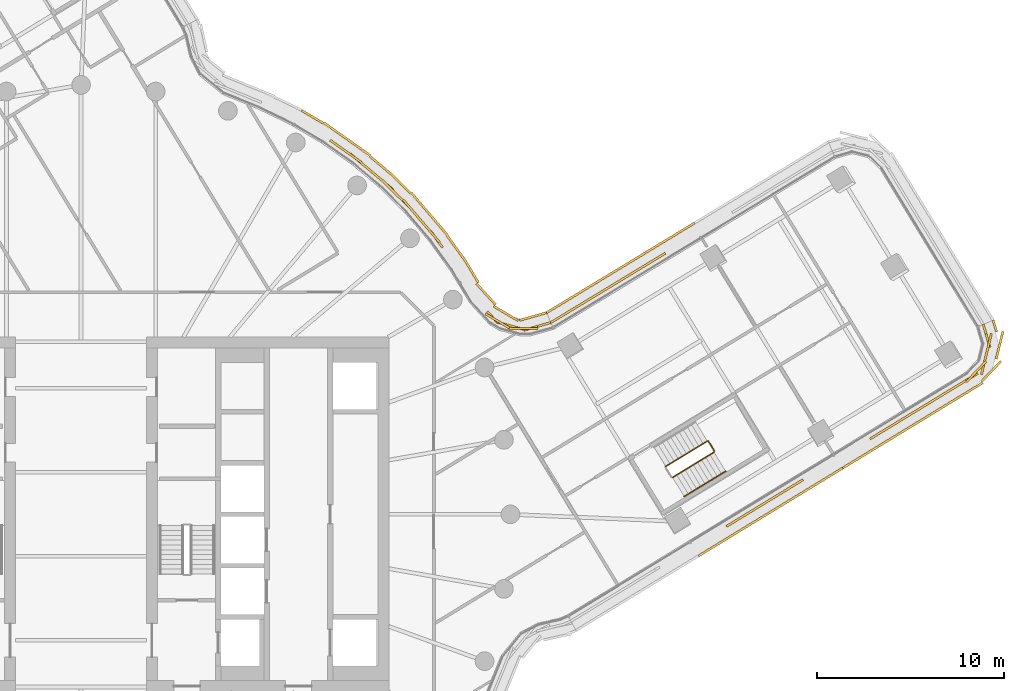
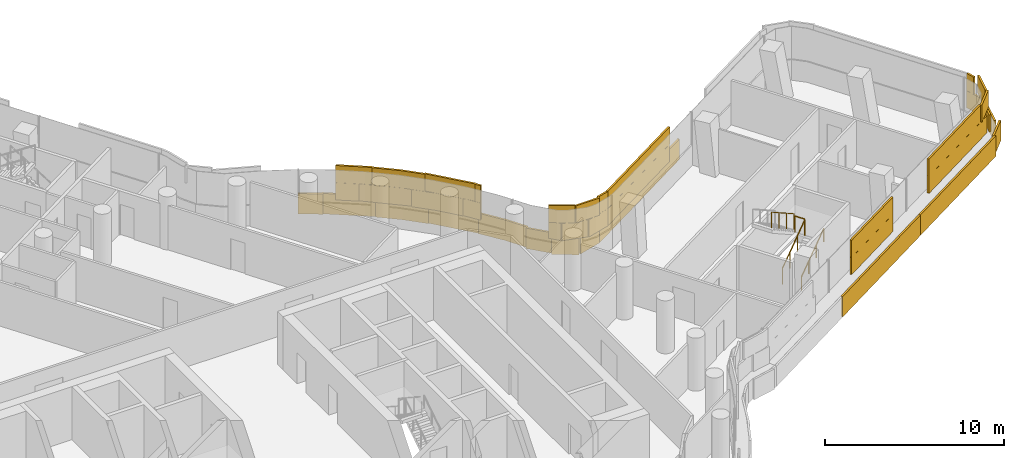
# One storey, part 32 of 35: 4 coverings, 4 railings.
"""IFC4 building model written with IfcOpenShell, lengths in metres."""

from ifc_helpers import new_model, si_unit, direction, frame, origin, origin_2d, place, context, subcontext, project, spatial, rectangle, circle, extrude, material, layer, layer_set, type_object, element, save


model = new_model("IFC4")

# Units and contexts
model_context = context("Model", 3, precision=1e-05, world=origin(), true_north=direction((0.0, 1.0)))
body_context = subcontext(model_context, "Body", "Model", "MODEL_VIEW")
ifc_project = project(units=[si_unit("LENGTHUNIT", "METRE"), si_unit("AREAUNIT", "SQUARE_METRE"), si_unit("VOLUMEUNIT", "CUBIC_METRE"), si_unit("PLANEANGLEUNIT", "RADIAN"), si_unit("MASSUNIT", "GRAM", prefix="KILO")], contexts=[model_context])

# Site, building, storey
site_placement = place(None, origin())
site = spatial("IfcSite", under=ifc_project, at=site_placement, CompositionType="ELEMENT")
building_placement = place(site_placement, origin())
building = spatial("IfcBuilding", under=site, at=building_placement, Name="Tamarind Cross Interchange Tower", CompositionType="ELEMENT")
storey_placement = place(building_placement, frame((0.0, 0.0, 148.0)))
storey = spatial("IfcBuildingStorey", under=building, at=storey_placement, Name="L36", CompositionType="ELEMENT", Elevation=148.0)

# Railings
ifc_material_1 = material(Name="Stair guard")
railing_type_1 = type_object("IfcRailingType", Name="Stair guard", PredefinedType="GUARDRAIL", material=ifc_material_1)
railing_1_placement = place(storey_placement, frame((31.685302734375, 1.9765625, 0.17041015625)))
element("IfcRailing", 1, at=railing_1_placement, inside=storey, type_object=railing_type_1, Name="L36 ST3 stair guard 1", PredefinedType="GUARDRAIL", context=body_context, shape_type="SweptSolid", body=[
    extrude(circle(Radius=0.02392578125, at=origin_2d()), frame((0.0, 0.0, 1.076171875), z_axis=(0.714258854614, 0.435025731592, 0.548258061006), x_axis=(-0.520173310547, 0.854060727931, 0.0)), (0.0, 0.0, 1.0), 3.109130859375),
    extrude(circle(Radius=0.02099609375, at=origin_2d()), origin(), (0.0, 0.0, 1.0), 1.052001953125),
    extrude(circle(Radius=0.02099609375, at=origin_2d()), frame((0.740234375, 0.450927734375, 0.568115234375)), (0.0, 0.0, 1.0), 1.052001953125),
    extrude(circle(Radius=0.02099609375, at=origin_2d()), frame((1.48046875, 0.901611328125, 1.136474609375)), (0.0, 0.0, 1.0), 1.052001953125),
    extrude(circle(Radius=0.02099609375, at=origin_2d()), frame((2.220703125, 1.3525390625, 1.70458984375)), (0.0, 0.0, 1.0), 1.052001953125),
])
railing_2_placement = place(storey_placement, frame((33.922607421875, 3.397705078125, 1.875)))
element("IfcRailing", 2, at=railing_2_placement, inside=storey, type_object=railing_type_1, Name="L36 ST3 stair guard 2", PredefinedType="GUARDRAIL", context=body_context, shape_type="SweptSolid", body=[
    extrude(circle(Radius=0.02392578125, at=origin_2d()), frame((0.0, 0.0, 1.076171875), z_axis=(-0.520050217868, 0.854135686467, 0.0), x_axis=(-0.854135686467, -0.520050217868, 0.0)), (0.0, 0.0, 1.0), 0.599853515625),
    extrude(circle(Radius=0.02099609375, at=origin_2d()), origin(), (0.0, 0.0, 1.0), 1.052001953125),
    extrude(circle(Radius=0.02099609375, at=origin_2d()), frame((-0.31201171875, 0.512451171875, 0.0)), (0.0, 0.0, 1.0), 1.052001953125),
])
railing_3_placement = place(storey_placement, frame((33.541748046875, 3.9267578125, 2.04541015625)))
element("IfcRailing", 3, at=railing_3_placement, inside=storey, type_object=railing_type_1, Name="L36 ST3 stair guard 3", PredefinedType="GUARDRAIL", context=body_context, shape_type="SweptSolid", body=[
    extrude(circle(Radius=0.02392578125, at=origin_2d()), frame((0.0, 0.0, 1.076171875), z_axis=(-0.714244787066, -0.434986462403, 0.548307542968), x_axis=(0.520146531983, -0.854077037079, 0.0)), (0.0, 0.0, 1.0), 3.10888671875),
    extrude(circle(Radius=0.02099609375, at=origin_2d()), origin(), (0.0, 0.0, 1.0), 1.052001953125),
    extrude(circle(Radius=0.02099609375, at=origin_2d()), frame((-0.740234375, -0.45068359375, 0.568115234375)), (0.0, 0.0, 1.0), 1.052001953125),
    extrude(circle(Radius=0.02099609375, at=origin_2d()), frame((-1.480224609375, -0.901611328125, 1.136474609375)), (0.0, 0.0, 1.0), 1.052001953125),
    extrude(circle(Radius=0.02099609375, at=origin_2d()), frame((-2.220458984375, -1.352294921875, 1.70458984375)), (0.0, 0.0, 1.0), 1.052001953125),
])
ifc_material_2 = material(Name="Stair handrail")
railing_type_2 = type_object("IfcRailingType", Name="Stair handrail", PredefinedType="HANDRAIL", material=ifc_material_2)
railing_4_placement = place(storey_placement, frame((32.3095703125, 0.95166015625, 0.17041015625)))
element("IfcRailing", 4, at=railing_4_placement, inside=storey, type_object=railing_type_2, Name="L36 ST3 stair handrail 1", PredefinedType="HANDRAIL", context=body_context, shape_type="SweptSolid", body=[
    extrude(circle(Radius=0.02392578125, at=origin_2d()), frame((0.0, 0.0, 0.8759765625), z_axis=(0.714220387385, 0.435050131513, 0.548288811954), x_axis=(-0.520215026627, 0.854035318984, 0.0)), (0.0, 0.0, 1.0), 3.10888671875),
    extrude(circle(Radius=0.02099609375, at=origin_2d()), origin(), (0.0, 0.0, 1.0), 0.851806640625),
    extrude(circle(Radius=0.02099609375, at=origin_2d()), frame((0.740234375, 0.450927734375, 0.568115234375)), (0.0, 0.0, 1.0), 0.851806640625),
    extrude(circle(Radius=0.02099609375, at=origin_2d()), frame((1.480224609375, 0.901611328125, 1.136474609375)), (0.0, 0.0, 1.0), 0.851806640625),
    extrude(circle(Radius=0.02099609375, at=origin_2d()), frame((2.220458984375, 1.3525390625, 1.70458984375)), (0.0, 0.0, 1.0), 0.851806640625),
])

# Coverings
ifc_material_3 = material(Name="Terracotta", Category="masonry")
ifc_layer = layer(ifc_material_3, 0.1201171875)
ifc_layer_set = layer_set([ifc_layer], Name="Terracotta")
covering_type = type_object("IfcCoveringType", Name="Terracotta baguette screen unit", PredefinedType="MOLDING", material=ifc_layer_set)
covering_1_placement = place(storey_placement, origin())
element("IfcCovering", 5, at=covering_1_placement, inside=storey, type_object=covering_type, Name="SCR-L36-07-01", PredefinedType="MOLDING", context=body_context, shape_type="SweptSolid", body=[
    extrude(rectangle(XDim=0.762939453125, YDim=0.1201171875, at=origin_2d()), frame((34.891357421875, -0.449951171875, 1.404052734375), z_axis=(0.0, 0.0, 1.0), x_axis=(0.854059616181, 0.520175135901, 0.0)), (0.0, 0.0, 1.0), 1.1669921875),
    extrude(rectangle(XDim=1.52001953125, YDim=0.1201171875, at=origin_2d()), frame((35.853271484375, 0.135986328125, 1.404052734375), z_axis=(0.0, 0.0, 1.0), x_axis=(0.854059616181, 0.520175135901, 0.0)), (0.0, 0.0, 1.0), 1.1669921875),
    extrude(rectangle(XDim=1.52001953125, YDim=0.1201171875, at=origin_2d()), frame((37.134521484375, 0.916259765625, 1.404052734375), z_axis=(0.0, 0.0, 1.0), x_axis=(0.854059616181, 0.520175135901, 0.0)), (0.0, 0.0, 1.0), 1.1669921875),
    extrude(rectangle(XDim=1.063720703125, YDim=0.1201171875, at=origin_2d()), frame((38.224853515625, 1.58056640625, 1.404052734375), z_axis=(0.0, 0.0, 1.0), x_axis=(0.854059616181, 0.520175135901, 0.0)), (0.0, 0.0, 1.0), 1.1669921875),
    extrude(rectangle(XDim=1.52001953125, YDim=0.1201171875, at=origin_2d()), frame((35.212890625, -0.254150390625, 2.5791015625), z_axis=(0.0, 0.0, 1.0), x_axis=(0.854059616181, 0.520175135901, 0.0)), (0.0, 0.0, 1.0), 1.1669921875),
    extrude(rectangle(XDim=1.52001953125, YDim=0.1201171875, at=origin_2d()), frame((36.493896484375, 0.526123046875, 2.5791015625), z_axis=(0.0, 0.0, 1.0), x_axis=(0.854059616181, 0.520175135901, 0.0)), (0.0, 0.0, 1.0), 1.1669921875),
    extrude(rectangle(XDim=1.52001953125, YDim=0.1201171875, at=origin_2d()), frame((37.77490234375, 1.306396484375, 2.5791015625), z_axis=(0.0, 0.0, 1.0), x_axis=(0.854059616181, 0.520175135901, 0.0)), (0.0, 0.0, 1.0), 1.1669921875),
    extrude(rectangle(XDim=0.313720703125, YDim=0.1201171875, at=origin_2d()), frame((38.545166015625, 1.775634765625, 2.5791015625), z_axis=(0.0, 0.0, 1.0), x_axis=(0.854059616181, 0.520175135901, 0.0)), (0.0, 0.0, 1.0), 1.1669921875),
    extrude(rectangle(XDim=1.328369140625, YDim=0.1201171875, at=origin_2d()), frame((33.639404296875, -1.884521484375, 0.00390625), z_axis=(0.0, 0.0, 1.0), x_axis=(0.854059616181, 0.520175135901, 0.0)), (0.0, 0.0, 1.0), 1.39208984375),
    extrude(rectangle(XDim=1.52001953125, YDim=0.1201171875, at=origin_2d()), frame((34.838623046875, -1.154052734375, 0.00390625), z_axis=(0.0, 0.0, 1.0), x_axis=(0.854059616181, 0.520175135901, 0.0)), (0.0, 0.0, 1.0), 1.39208984375),
    extrude(rectangle(XDim=1.52001953125, YDim=0.1201171875, at=origin_2d()), frame((36.119873046875, -0.373779296875, 0.00390625), z_axis=(0.0, 0.0, 1.0), x_axis=(0.854059616181, 0.520175135901, 0.0)), (0.0, 0.0, 1.0), 1.39208984375),
    extrude(rectangle(XDim=1.52001953125, YDim=0.1201171875, at=origin_2d()), frame((37.40087890625, 0.406494140625, 0.00390625), z_axis=(0.0, 0.0, 1.0), x_axis=(0.854059616181, 0.520175135901, 0.0)), (0.0, 0.0, 1.0), 1.39208984375),
    extrude(rectangle(XDim=1.52001953125, YDim=0.1201171875, at=origin_2d()), frame((38.681884765625, 1.186767578125, 0.00390625), z_axis=(0.0, 0.0, 1.0), x_axis=(0.854059616181, 0.520175135901, 0.0)), (0.0, 0.0, 1.0), 1.39208984375),
    extrude(rectangle(XDim=1.52001953125, YDim=0.1201171875, at=origin_2d()), frame((39.963134765625, 1.967041015625, 0.00390625), z_axis=(0.0, 0.0, 1.0), x_axis=(0.854059616181, 0.520175135901, 0.0)), (0.0, 0.0, 1.0), 1.39208984375),
    extrude(rectangle(XDim=0.23876953125, YDim=0.1201171875, at=origin_2d()), frame((40.697021484375, 2.4140625, 0.00390625), z_axis=(0.0, 0.0, 1.0), x_axis=(0.854059616181, 0.520175135901, 0.0)), (0.0, 0.0, 1.0), 1.39208984375),
])
covering_2_placement = place(storey_placement, origin())
element("IfcCovering", 6, at=covering_2_placement, inside=storey, type_object=covering_type, Name="SCR-L36-07-02", PredefinedType="MOLDING", context=body_context, shape_type="SweptSolid", body=[
    extrude(rectangle(XDim=0.75634765625, YDim=0.1201171875, at=origin_2d()), frame((42.58056640625, 4.2333984375, 1.404052734375), z_axis=(0.0, 0.0, 1.0), x_axis=(0.854059616181, 0.520175135901, 0.0)), (0.0, 0.0, 1.0), 1.1669921875),
    extrude(rectangle(XDim=1.52001953125, YDim=0.1201171875, at=origin_2d()), frame((43.539794921875, 4.817626953125, 1.404052734375), z_axis=(0.0, 0.0, 1.0), x_axis=(0.854059616181, 0.520175135901, 0.0)), (0.0, 0.0, 1.0), 1.1669921875),
    extrude(rectangle(XDim=1.52001953125, YDim=0.1201171875, at=origin_2d()), frame((44.821044921875, 5.597900390625, 1.404052734375), z_axis=(0.0, 0.0, 1.0), x_axis=(0.854059616181, 0.520175135901, 0.0)), (0.0, 0.0, 1.0), 1.1669921875),
    extrude(rectangle(XDim=1.52001953125, YDim=0.1201171875, at=origin_2d()), frame((46.10205078125, 6.378173828125, 1.404052734375), z_axis=(0.0, 0.0, 1.0), x_axis=(0.854059616181, 0.520175135901, 0.0)), (0.0, 0.0, 1.0), 1.1669921875),
    extrude(rectangle(XDim=1.52001953125, YDim=0.1201171875, at=origin_2d()), frame((47.383056640625, 7.158447265625, 1.404052734375), z_axis=(0.0, 0.0, 1.0), x_axis=(0.854059616181, 0.520175135901, 0.0)), (0.0, 0.0, 1.0), 1.1669921875),
    extrude(rectangle(XDim=1.52001953125, YDim=0.1201171875, at=origin_2d()), frame((48.40576171875, 8.21728515625, 1.404052734375), z_axis=(0.0, 0.0, 1.0), x_axis=(0.236091980139, 0.971730712139, 0.0)), (0.0, 0.0, 1.0), 1.1669921875),
    extrude(rectangle(XDim=1.280029296875, YDim=0.1201171875, at=origin_2d()), frame((48.5068359375, 9.557861328125, 1.404052734375), z_axis=(0.0, 0.0, 1.0), x_axis=(-0.281403703639, 0.959589472419, 0.0)), (0.0, 0.0, 1.0), 1.1669921875),
    extrude(rectangle(XDim=1.50634765625, YDim=0.1201171875, at=origin_2d()), frame((42.90087890625, 4.428466796875, 2.5791015625), z_axis=(0.0, 0.0, 1.0), x_axis=(0.854059616181, 0.520175135901, 0.0)), (0.0, 0.0, 1.0), 1.1669921875),
    extrude(rectangle(XDim=1.52001953125, YDim=0.1201171875, at=origin_2d()), frame((44.180419921875, 5.207763671875, 2.5791015625), z_axis=(0.0, 0.0, 1.0), x_axis=(0.854059616181, 0.520175135901, 0.0)), (0.0, 0.0, 1.0), 1.1669921875),
    extrude(rectangle(XDim=1.52001953125, YDim=0.1201171875, at=origin_2d()), frame((45.46142578125, 5.988037109375, 2.5791015625), z_axis=(0.0, 0.0, 1.0), x_axis=(0.854059616181, 0.520175135901, 0.0)), (0.0, 0.0, 1.0), 1.1669921875),
    extrude(rectangle(XDim=1.52001953125, YDim=0.1201171875, at=origin_2d()), frame((46.74267578125, 6.768310546875, 2.5791015625), z_axis=(0.0, 0.0, 1.0), x_axis=(0.854059616181, 0.520175135901, 0.0)), (0.0, 0.0, 1.0), 1.1669921875),
    extrude(rectangle(XDim=1.52001953125, YDim=0.1201171875, at=origin_2d()), frame((47.948974609375, 7.64111328125, 2.5791015625), z_axis=(0.0, 0.0, 1.0), x_axis=(0.6903270085, 0.72349749228, 0.0)), (0.0, 0.0, 1.0), 1.1669921875),
    extrude(rectangle(XDim=1.52001953125, YDim=0.1201171875, at=origin_2d()), frame((48.582763671875, 8.946044921875, 2.5791015625), z_axis=(0.0, 0.0, 1.0), x_axis=(0.236091980139, 0.971730712139, 0.0)), (0.0, 0.0, 1.0), 1.1669921875),
    extrude(rectangle(XDim=0.530029296875, YDim=0.1201171875, at=origin_2d()), frame((48.4013671875, 9.917724609375, 2.5791015625), z_axis=(0.0, 0.0, 1.0), x_axis=(-0.281403703639, 0.959589472419, 0.0)), (0.0, 0.0, 1.0), 1.1669921875),
    extrude(rectangle(XDim=1.28125, YDim=0.1201171875, at=origin_2d()), frame((41.34619140625, 2.809326171875, 0.00390625), z_axis=(0.0, 0.0, 1.0), x_axis=(0.854059616181, 0.520175135901, 0.0)), (0.0, 0.0, 1.0), 1.39208984375),
    extrude(rectangle(XDim=1.52001953125, YDim=0.1201171875, at=origin_2d()), frame((42.525146484375, 3.527587890625, 0.00390625), z_axis=(0.0, 0.0, 1.0), x_axis=(0.854059616181, 0.520175135901, 0.0)), (0.0, 0.0, 1.0), 1.39208984375),
    extrude(rectangle(XDim=1.52001953125, YDim=0.1201171875, at=origin_2d()), frame((43.806396484375, 4.307861328125, 0.00390625), z_axis=(0.0, 0.0, 1.0), x_axis=(0.854059616181, 0.520175135901, 0.0)), (0.0, 0.0, 1.0), 1.39208984375),
    extrude(rectangle(XDim=1.52001953125, YDim=0.1201171875, at=origin_2d()), frame((45.08740234375, 5.088134765625, 0.00390625), z_axis=(0.0, 0.0, 1.0), x_axis=(0.854059616181, 0.520175135901, 0.0)), (0.0, 0.0, 1.0), 1.39208984375),
    extrude(rectangle(XDim=1.52001953125, YDim=0.1201171875, at=origin_2d()), frame((46.36865234375, 5.868408203125, 0.00390625), z_axis=(0.0, 0.0, 1.0), x_axis=(0.854059616181, 0.520175135901, 0.0)), (0.0, 0.0, 1.0), 1.39208984375),
    extrude(rectangle(XDim=1.52001953125, YDim=0.1201171875, at=origin_2d()), frame((47.649658203125, 6.648681640625, 0.00390625), z_axis=(0.0, 0.0, 1.0), x_axis=(0.854059616181, 0.520175135901, 0.0)), (0.0, 0.0, 1.0), 1.39208984375),
    extrude(rectangle(XDim=1.52001953125, YDim=0.1201171875, at=origin_2d()), frame((48.751708984375, 7.651123046875, 0.00390625), z_axis=(0.0, 0.0, 1.0), x_axis=(0.6903270085, 0.72349749228, 0.0)), (0.0, 0.0, 1.0), 1.39208984375),
    extrude(rectangle(XDim=1.52001953125, YDim=0.1201171875, at=origin_2d()), frame((49.200439453125, 9.05712890625, 0.00390625), z_axis=(0.0, 0.0, 1.0), x_axis=(0.236091980139, 0.971730712139, 0.0)), (0.0, 0.0, 1.0), 1.39208984375),
    extrude(rectangle(XDim=0.65966796875, YDim=0.1201171875, at=origin_2d()), frame((48.950439453125, 10.084716796875, 0.00390625), z_axis=(0.0, 0.0, 1.0), x_axis=(-0.281403703639, 0.959589472419, 0.0)), (0.0, 0.0, 1.0), 1.39208984375),
])
covering_3_placement = place(storey_placement, origin())
element("IfcCovering", 7, at=covering_3_placement, inside=storey, type_object=covering_type, Name="SCR-L36-09-01", PredefinedType="MOLDING", context=body_context, shape_type="SweptSolid", body=[
    extrude(rectangle(XDim=1.52001953125, YDim=0.1201171875, at=origin_2d()), frame((30.63818359375, 13.589599609375, 1.404052734375), z_axis=(0.0, 0.0, 1.0), x_axis=(-0.855123301434, -0.518424670848, 0.0)), (0.0, 0.0, 1.0), 1.1669921875),
    extrude(rectangle(XDim=1.52001953125, YDim=0.1201171875, at=origin_2d()), frame((29.35546875, 12.81201171875, 1.404052734375), z_axis=(0.0, 0.0, 1.0), x_axis=(-0.855123301434, -0.518424670848, 0.0)), (0.0, 0.0, 1.0), 1.1669921875),
    extrude(rectangle(XDim=1.52001953125, YDim=0.1201171875, at=origin_2d()), frame((28.07275390625, 12.034423828125, 1.404052734375), z_axis=(0.0, 0.0, 1.0), x_axis=(-0.855123301434, -0.518424670848, 0.0)), (0.0, 0.0, 1.0), 1.1669921875),
    extrude(rectangle(XDim=1.52001953125, YDim=0.1201171875, at=origin_2d()), frame((26.7900390625, 11.2568359375, 1.404052734375), z_axis=(0.0, 0.0, 1.0), x_axis=(-0.855123301434, -0.518424670848, 0.0)), (0.0, 0.0, 1.0), 1.1669921875),
    extrude(rectangle(XDim=1.155029296875, YDim=0.1201171875, at=origin_2d()), frame((25.6591796875, 10.571044921875, 1.404052734375), z_axis=(0.0, 0.0, 1.0), x_axis=(-0.855123301434, -0.518424670848, 0.0)), (0.0, 0.0, 1.0), 1.1669921875),
    extrude(rectangle(XDim=0.775634765625, YDim=0.1201171875, at=origin_2d()), frame((30.965576171875, 13.7880859375, 2.5791015625), z_axis=(0.0, 0.0, 1.0), x_axis=(-0.855123301434, -0.518424670848, 0.0)), (0.0, 0.0, 1.0), 1.1669921875),
    extrude(rectangle(XDim=1.52001953125, YDim=0.1201171875, at=origin_2d()), frame((29.996826171875, 13.200927734375, 2.5791015625), z_axis=(0.0, 0.0, 1.0), x_axis=(-0.855123301434, -0.518424670848, 0.0)), (0.0, 0.0, 1.0), 1.1669921875),
    extrude(rectangle(XDim=1.52001953125, YDim=0.1201171875, at=origin_2d()), frame((28.714111328125, 12.42333984375, 2.5791015625), z_axis=(0.0, 0.0, 1.0), x_axis=(-0.855123301434, -0.518424670848, 0.0)), (0.0, 0.0, 1.0), 1.1669921875),
    extrude(rectangle(XDim=1.52001953125, YDim=0.1201171875, at=origin_2d()), frame((27.431396484375, 11.6455078125, 2.5791015625), z_axis=(0.0, 0.0, 1.0), x_axis=(-0.855123301434, -0.518424670848, 0.0)), (0.0, 0.0, 1.0), 1.1669921875),
    extrude(rectangle(XDim=1.52001953125, YDim=0.1201171875, at=origin_2d()), frame((26.14892578125, 10.867919921875, 2.5791015625), z_axis=(0.0, 0.0, 1.0), x_axis=(-0.855123301434, -0.518424670848, 0.0)), (0.0, 0.0, 1.0), 1.1669921875),
    extrude(rectangle(XDim=0.405029296875, YDim=0.1201171875, at=origin_2d()), frame((25.338623046875, 10.376708984375, 2.5791015625), z_axis=(0.0, 0.0, 1.0), x_axis=(-0.855123301434, -0.518424670848, 0.0)), (0.0, 0.0, 1.0), 1.1669921875),
    extrude(rectangle(XDim=0.626708984375, YDim=0.1201171875, at=origin_2d()), frame((32.588134765625, 15.443115234375, 0.00390625), z_axis=(0.0, 0.0, 1.0), x_axis=(-0.855123301434, -0.518424670848, 0.0)), (0.0, 0.0, 1.0), 1.39208984375),
    extrude(rectangle(XDim=1.52001953125, YDim=0.1201171875, at=origin_2d()), frame((31.6875, 14.89697265625, 0.00390625), z_axis=(0.0, 0.0, 1.0), x_axis=(-0.855123301434, -0.518424670848, 0.0)), (0.0, 0.0, 1.0), 1.39208984375),
    extrude(rectangle(XDim=1.52001953125, YDim=0.1201171875, at=origin_2d()), frame((30.40478515625, 14.119384765625, 0.00390625), z_axis=(0.0, 0.0, 1.0), x_axis=(-0.855123301434, -0.518424670848, 0.0)), (0.0, 0.0, 1.0), 1.39208984375),
    extrude(rectangle(XDim=1.52001953125, YDim=0.1201171875, at=origin_2d()), frame((29.1220703125, 13.341796875, 0.00390625), z_axis=(0.0, 0.0, 1.0), x_axis=(-0.855123301434, -0.518424670848, 0.0)), (0.0, 0.0, 1.0), 1.39208984375),
    extrude(rectangle(XDim=1.52001953125, YDim=0.1201171875, at=origin_2d()), frame((27.83935546875, 12.564208984375, 0.00390625), z_axis=(0.0, 0.0, 1.0), x_axis=(-0.855123301434, -0.518424670848, 0.0)), (0.0, 0.0, 1.0), 1.39208984375),
    extrude(rectangle(XDim=1.52001953125, YDim=0.1201171875, at=origin_2d()), frame((26.556640625, 11.786376953125, 0.00390625), z_axis=(0.0, 0.0, 1.0), x_axis=(-0.855123301434, -0.518424670848, 0.0)), (0.0, 0.0, 1.0), 1.39208984375),
    extrude(rectangle(XDim=1.152587890625, YDim=0.1201171875, at=origin_2d()), frame((25.43115234375, 11.10400390625, 0.00390625), z_axis=(0.0, 0.0, 1.0), x_axis=(-0.855123301434, -0.518424670848, 0.0)), (0.0, 0.0, 1.0), 1.39208984375),
])
covering_4_placement = place(storey_placement, origin())
element("IfcCovering", 8, at=covering_4_placement, inside=storey, type_object=covering_type, Name="SCR-L36-10-00", PredefinedType="MOLDING", context=body_context, shape_type="SweptSolid", body=[
    extrude(rectangle(XDim=1.510009765625, YDim=0.1201171875, at=origin_2d()), frame((24.4482421875, 10.0693359375, 1.404052734375), z_axis=(0.0, 0.0, 1.0), x_axis=(-0.961947395752, -0.273234711933, 0.0)), (0.0, 0.0, 1.0), 1.1669921875),
    extrude(rectangle(XDim=1.52001953125, YDim=0.1201171875, at=origin_2d()), frame((22.984130859375, 10.1025390625, 1.404052734375), z_axis=(0.0, 0.0, 1.0), x_axis=(-0.965393139057, 0.260798939915, 0.0)), (0.0, 0.0, 1.0), 1.1669921875),
    extrude(rectangle(XDim=0.739990234375, YDim=0.1201171875, at=origin_2d()), frame((22.0078125, 10.59521484375, 1.404052734375), z_axis=(0.0, 0.0, 1.0), x_axis=(-0.672064658233, 0.740492467993, 0.0)), (0.0, 0.0, 1.0), 1.1669921875),
    extrude(rectangle(XDim=1.079833984375, YDim=0.1201171875, at=origin_2d()), frame((19.048095703125, 14.730224609375, 1.404052734375), z_axis=(0.0, 0.0, 1.0), x_axis=(-0.584573890505, 0.811340475102, 0.0)), (0.0, 0.0, 1.0), 1.1669921875),
    extrude(rectangle(XDim=1.52001953125, YDim=0.1201171875, at=origin_2d()), frame((18.22509765625, 15.71630859375, 1.404052734375), z_axis=(0.0, 0.0, 1.0), x_axis=(-0.64957723968, 0.760295606781, 0.0)), (0.0, 0.0, 1.0), 1.1669921875),
    extrude(rectangle(XDim=1.52001953125, YDim=0.1201171875, at=origin_2d()), frame((17.213623046875, 16.822021484375, 1.404052734375), z_axis=(0.0, 0.0, 1.0), x_axis=(-0.710143317658, 0.704057148523, 0.0)), (0.0, 0.0, 1.0), 1.1669921875),
    extrude(rectangle(XDim=1.52001953125, YDim=0.1201171875, at=origin_2d()), frame((16.141357421875, 17.87060546875, 1.404052734375), z_axis=(0.0, 0.0, 1.0), x_axis=(-0.765858396687, 0.643009266048, 0.0)), (0.0, 0.0, 1.0), 1.1669921875),
    extrude(rectangle(XDim=1.52001953125, YDim=0.1201171875, at=origin_2d()), frame((14.99267578125, 18.835205078125, 1.404052734375), z_axis=(0.0, 0.0, 1.0), x_axis=(-0.765858396687, 0.643009266048, 0.0)), (0.0, 0.0, 1.0), 1.1669921875),
    extrude(rectangle(XDim=1.30908203125, YDim=0.1201171875, at=origin_2d()), frame((13.86865234375, 19.66748046875, 1.404052734375), z_axis=(0.0, 0.0, 1.0), x_axis=(-0.816341886298, 0.577568978284, 0.0)), (0.0, 0.0, 1.0), 1.1669921875),
    extrude(rectangle(XDim=0.760009765625, YDim=0.1201171875, at=origin_2d()), frame((24.808837890625, 10.171875, 2.5791015625), z_axis=(0.0, 0.0, 1.0), x_axis=(-0.961947395752, -0.273234711933, 0.0)), (0.0, 0.0, 1.0), 1.1669921875),
    extrude(rectangle(XDim=1.52001953125, YDim=0.1201171875, at=origin_2d()), frame((23.714111328125, 9.952392578125, 2.5791015625), z_axis=(0.0, 0.0, 1.0), x_axis=(-0.999979184587, -0.006452161906, 0.0)), (0.0, 0.0, 1.0), 1.1669921875),
    extrude(rectangle(XDim=1.489990234375, YDim=0.1201171875, at=origin_2d()), frame((22.2998046875, 10.366455078125, 2.5791015625), z_axis=(0.0, 0.0, 1.0), x_axis=(-0.860700875166, 0.509110993291, 0.0)), (0.0, 0.0, 1.0), 1.1669921875),
    extrude(rectangle(XDim=0.329833984375, YDim=0.1201171875, at=origin_2d()), frame((19.267333984375, 14.426025390625, 2.5791015625), z_axis=(0.0, 0.0, 1.0), x_axis=(-0.584573890505, 0.811340475102, 0.0)), (0.0, 0.0, 1.0), 1.1669921875),
    extrude(rectangle(XDim=1.52001953125, YDim=0.1201171875, at=origin_2d()), frame((18.71240234375, 15.14599609375, 2.5791015625), z_axis=(0.0, 0.0, 1.0), x_axis=(-0.64957723968, 0.760295606781, 0.0)), (0.0, 0.0, 1.0), 1.1669921875),
    extrude(rectangle(XDim=1.52001953125, YDim=0.1201171875, at=origin_2d()), frame((17.738037109375, 16.286376953125, 2.5791015625), z_axis=(0.0, 0.0, 1.0), x_axis=(-0.64957723968, 0.760295606781, 0.0)), (0.0, 0.0, 1.0), 1.1669921875),
    extrude(rectangle(XDim=1.52001953125, YDim=0.1201171875, at=origin_2d()), frame((16.680908203125, 17.35009765625, 2.5791015625), z_axis=(0.0, 0.0, 1.0), x_axis=(-0.710143317658, 0.704057148523, 0.0)), (0.0, 0.0, 1.0), 1.1669921875),
    extrude(rectangle(XDim=1.52001953125, YDim=0.1201171875, at=origin_2d()), frame((15.567138671875, 18.352783203125, 2.5791015625), z_axis=(0.0, 0.0, 1.0), x_axis=(-0.765858396687, 0.643009266048, 0.0)), (0.0, 0.0, 1.0), 1.1669921875),
    extrude(rectangle(XDim=1.52001953125, YDim=0.1201171875, at=origin_2d()), frame((14.39892578125, 19.292236328125, 2.5791015625), z_axis=(0.0, 0.0, 1.0), x_axis=(-0.816341886298, 0.577568978284, 0.0)), (0.0, 0.0, 1.0), 1.1669921875),
    extrude(rectangle(XDim=0.55908203125, YDim=0.1201171875, at=origin_2d()), frame((13.5625, 19.884033203125, 2.5791015625), z_axis=(0.0, 0.0, 1.0), x_axis=(-0.816341886298, 0.577568978284, 0.0)), (0.0, 0.0, 1.0), 1.1669921875),
    extrude(rectangle(XDim=1.510009765625, YDim=0.1201171875, at=origin_2d()), frame((24.2119140625, 10.59912109375, 0.00390625), z_axis=(0.0, 0.0, 1.0), x_axis=(-0.961947395752, -0.273234711933, 0.0)), (0.0, 0.0, 1.0), 1.39208984375),
    extrude(rectangle(XDim=1.52001953125, YDim=0.1201171875, at=origin_2d()), frame((22.75927734375, 10.76171875, 0.00390625), z_axis=(0.0, 0.0, 1.0), x_axis=(-0.860700875166, 0.509110993291, 0.0)), (0.0, 0.0, 1.0), 1.39208984375),
    extrude(rectangle(XDim=1.52001953125, YDim=0.1201171875, at=origin_2d()), frame((21.690673828125, 11.79833984375, 0.00390625), z_axis=(0.0, 0.0, 1.0), x_axis=(-0.672064658233, 0.740492467993, 0.0)), (0.0, 0.0, 1.0), 1.39208984375),
    extrude(rectangle(XDim=1.52001953125, YDim=0.1201171875, at=origin_2d()), frame((20.893798828125, 13.066162109375, 0.00390625), z_axis=(0.0, 0.0, 1.0), x_axis=(-0.515577308909, 0.856843065292, 0.0)), (0.0, 0.0, 1.0), 1.39208984375),
    extrude(rectangle(XDim=1.52001953125, YDim=0.1201171875, at=origin_2d()), frame((20.05810546875, 14.310302734375, 0.00390625), z_axis=(0.0, 0.0, 1.0), x_axis=(-0.584573890505, 0.811340475102, 0.0)), (0.0, 0.0, 1.0), 1.39208984375),
    extrude(rectangle(XDim=1.52001953125, YDim=0.1201171875, at=origin_2d()), frame((19.157470703125, 15.5087890625, 0.00390625), z_axis=(0.0, 0.0, 1.0), x_axis=(-0.64957723968, 0.760295606781, 0.0)), (0.0, 0.0, 1.0), 1.39208984375),
    extrude(rectangle(XDim=1.52001953125, YDim=0.1201171875, at=origin_2d()), frame((18.18310546875, 16.649169921875, 0.00390625), z_axis=(0.0, 0.0, 1.0), x_axis=(-0.64957723968, 0.760295606781, 0.0)), (0.0, 0.0, 1.0), 1.39208984375),
    extrude(rectangle(XDim=1.52001953125, YDim=0.1201171875, at=origin_2d()), frame((17.12841796875, 17.71484375, 0.00390625), z_axis=(0.0, 0.0, 1.0), x_axis=(-0.710143317658, 0.704057148523, 0.0)), (0.0, 0.0, 1.0), 1.39208984375),
    extrude(rectangle(XDim=1.52001953125, YDim=0.1201171875, at=origin_2d()), frame((16.01904296875, 18.722900390625, 0.00390625), z_axis=(0.0, 0.0, 1.0), x_axis=(-0.765858396687, 0.643009266048, 0.0)), (0.0, 0.0, 1.0), 1.39208984375),
    extrude(rectangle(XDim=1.52001953125, YDim=0.1201171875, at=origin_2d()), frame((14.857666015625, 19.6708984375, 0.00390625), z_axis=(0.0, 0.0, 1.0), x_axis=(-0.816341886298, 0.577568978284, 0.0)), (0.0, 0.0, 1.0), 1.39208984375),
    extrude(rectangle(XDim=1.52001953125, YDim=0.1201171875, at=origin_2d()), frame((13.633056640625, 20.537109375, 0.00390625), z_axis=(0.0, 0.0, 1.0), x_axis=(-0.816341886298, 0.577568978284, 0.0)), (0.0, 0.0, 1.0), 1.39208984375),
    extrude(rectangle(XDim=1.381591796875, YDim=0.1201171875, at=origin_2d()), frame((12.413818359375, 21.2841796875, 0.00390625), z_axis=(0.0, 0.0, 1.0), x_axis=(-0.861248933065, 0.508183308752, 0.0)), (0.0, 0.0, 1.0), 1.39208984375),
])

save(model, "model.ifc")
